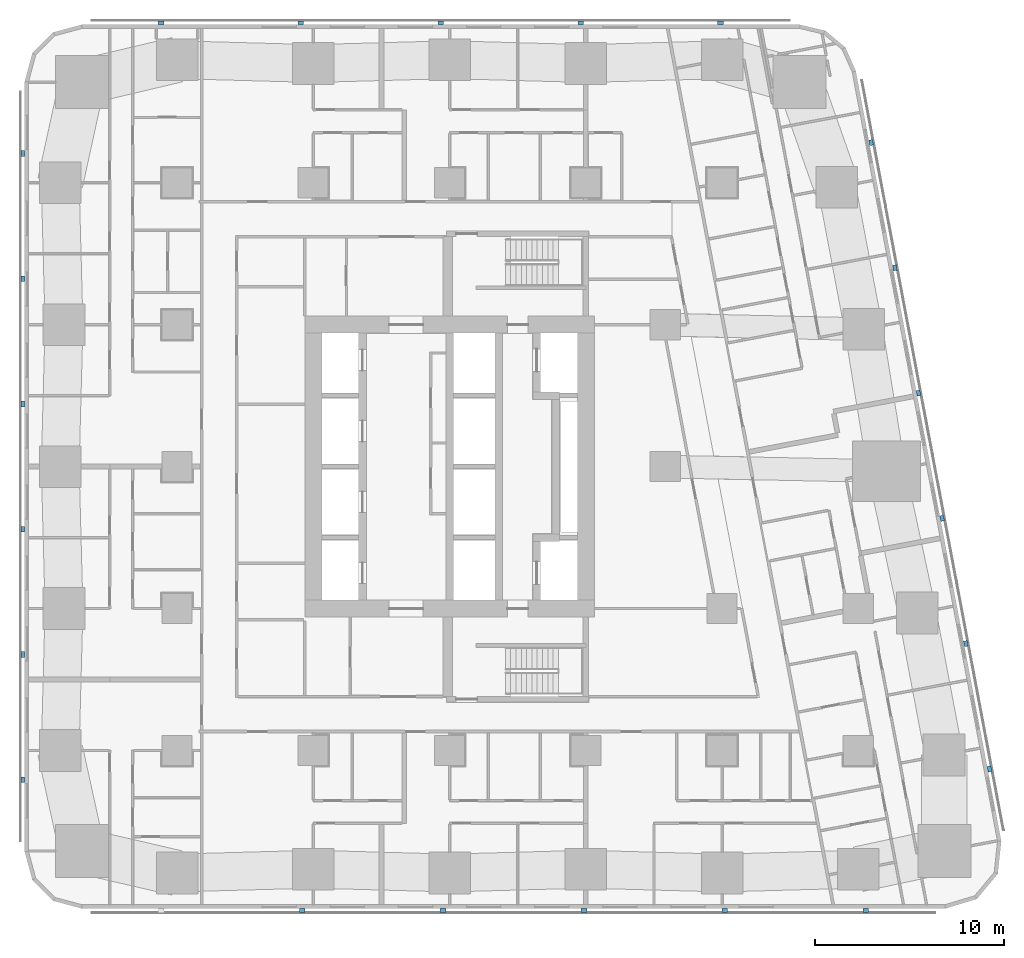
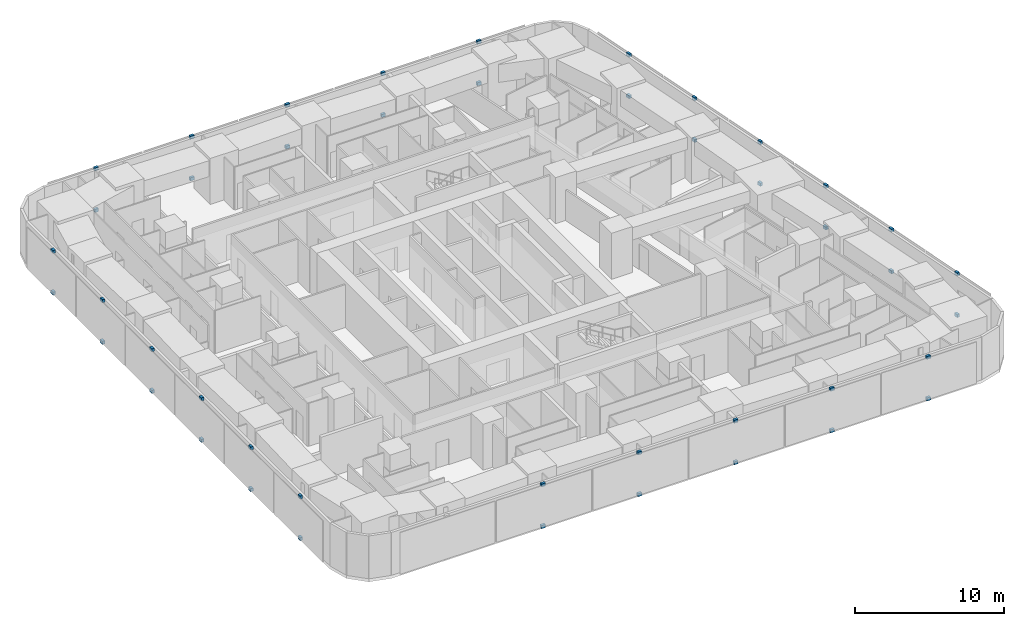
# One storey, part 13 of 17: 44 discrete accessories.
"""IFC4 building model written with IfcOpenShell, lengths in metres."""

from ifc_helpers import new_model, si_unit, direction, frame, origin, origin_2d, place, context, subcontext, project, spatial, rectangle, extrude, material, type_object, element, save


model = new_model("IFC4")

# Units and contexts
model_context = context("Model", 3, precision=1e-05, world=origin(), true_north=direction((0.0, 1.0)))
body_context = subcontext(model_context, "Body", "Model", "MODEL_VIEW")
ifc_project = project(units=[si_unit("LENGTHUNIT", "METRE"), si_unit("AREAUNIT", "SQUARE_METRE"), si_unit("VOLUMEUNIT", "CUBIC_METRE"), si_unit("PLANEANGLEUNIT", "RADIAN"), si_unit("MASSUNIT", "GRAM", prefix="KILO")], contexts=[model_context])

# Site, building, storey
site_placement = place(None, origin())
site = spatial("IfcSite", under=ifc_project, at=site_placement, CompositionType="ELEMENT")
building_placement = place(site_placement, origin())
building = spatial("IfcBuilding", under=site, at=building_placement, Name="Sheger Commons Tower", CompositionType="ELEMENT")
storey_placement = place(building_placement, frame((0.0, 0.0, 119.14990234375)))
storey = spatial("IfcBuildingStorey", under=building, at=storey_placement, Name="L30", CompositionType="ELEMENT", Elevation=119.14990234375)

# Discrete accessories
ifc_material = material(Name="Black painted steel bracket", Category="steel")
discrete_accessory_type = type_object("IfcDiscreteAccessoryType", Name="SCREEN BRACKET 300x200x250", PredefinedType="BRACKET", material=ifc_material)
for number, where, z_axis, x_axis, name in (
    (1, (13.81396484375, -0.949951171875, -0.099853515625), (0.0, 0.0, 1.0), (1.0, 0.0, 0.0), "Solar screen foot bracket"),
    (2, (13.81396484375, -0.949951171875, 3.300048828125), (0.0, 0.0, 1.0), (1.0, 0.0, 0.0), "Solar screen head bracket"),
    (3, (21.257080078125, -0.949951171875, -0.099853515625), (0.0, 0.0, 1.0), (1.0, 0.0, 0.0), "Solar screen foot bracket"),
    (4, (21.257080078125, -0.949951171875, 3.300048828125), (0.0, 0.0, 1.0), (1.0, 0.0, 0.0), "Solar screen head bracket"),
    (5, (28.698974609375, -0.949951171875, -0.099853515625), (0.0, 0.0, 1.0), (1.0, 0.0, 0.0), "Solar screen foot bracket"),
    (6, (28.698974609375, -0.949951171875, 3.300048828125), (0.0, 0.0, 1.0), (1.0, 0.0, 0.0), "Solar screen head bracket"),
    (7, (36.14208984375, -0.949951171875, -0.099853515625), (0.0, 0.0, 1.0), (1.0, 0.0, 0.0), "Solar screen foot bracket"),
    (8, (36.14208984375, -0.949951171875, 3.300048828125), (0.0, 0.0, 1.0), (1.0, 0.0, 0.0), "Solar screen head bracket"),
    (9, (43.5849609375, -0.949951171875, -0.099853515625), (0.0, 0.0, 1.0), (1.0, 0.0, 0.0), "Solar screen foot bracket"),
    (10, (43.5849609375, -0.949951171875, 3.300048828125), (0.0, 0.0, 1.0), (1.0, 0.0, 0.0), "Solar screen head bracket"),
    (11, (50.134033203125, 6.527099609375, -0.099853515625), (0.0, 0.0, 1.0), (-0.185615165645, 0.982622516678, 0.0), "Solar screen foot bracket"),
    (12, (50.134033203125, 6.527099609375, 3.300048828125), (0.0, 0.0, 1.0), (-0.185615165645, 0.982622516678, 0.0), "Solar screen head bracket"),
    (13, (48.884033203125, 13.14599609375, -0.099853515625), (0.0, 0.0, 1.0), (-0.185615165645, 0.982622516678, 0.0), "Solar screen foot bracket"),
    (14, (48.884033203125, 13.14599609375, 3.300048828125), (0.0, 0.0, 1.0), (-0.185615165645, 0.982622516678, 0.0), "Solar screen head bracket"),
    (15, (47.633056640625, 19.76611328125, -0.099853515625), (0.0, 0.0, 1.0), (-0.185615165645, 0.982622516678, 0.0), "Solar screen foot bracket"),
    (16, (47.633056640625, 19.76611328125, 3.300048828125), (0.0, 0.0, 1.0), (-0.185615165645, 0.982622516678, 0.0), "Solar screen head bracket"),
    (17, (46.383056640625, 26.385009765625, -0.099853515625), (0.0, 0.0, 1.0), (-0.185615165645, 0.982622516678, 0.0), "Solar screen foot bracket"),
    (18, (46.383056640625, 26.385009765625, 3.300048828125), (0.0, 0.0, 1.0), (-0.185615165645, 0.982622516678, 0.0), "Solar screen head bracket"),
    (19, (45.133056640625, 33.0048828125, -0.099853515625), (0.0, 0.0, 1.0), (-0.185615165645, 0.982622516678, 0.0), "Solar screen foot bracket"),
    (20, (45.133056640625, 33.0048828125, 3.300048828125), (0.0, 0.0, 1.0), (-0.185615165645, 0.982622516678, 0.0), "Solar screen head bracket"),
    (21, (43.882080078125, 39.6240234375, -0.099853515625), (0.0, 0.0, 1.0), (-0.185615165645, 0.982622516678, 0.0), "Solar screen foot bracket"),
    (22, (43.882080078125, 39.6240234375, 3.300048828125), (0.0, 0.0, 1.0), (-0.185615165645, 0.982622516678, 0.0), "Solar screen head bracket"),
    (23, (35.9208984375, 45.949951171875, -0.099853515625), (0.0, 0.0, 1.0), (-1.0, 0.0, 0.0), "Solar screen foot bracket"),
    (24, (35.9208984375, 45.949951171875, 3.300048828125), (0.0, 0.0, 1.0), (-1.0, 0.0, 0.0), "Solar screen head bracket"),
    (25, (28.528076171875, 45.949951171875, -0.099853515625), (0.0, 0.0, 1.0), (-1.0, 0.0, 0.0), "Solar screen foot bracket"),
    (26, (28.528076171875, 45.949951171875, 3.300048828125), (0.0, 0.0, 1.0), (-1.0, 0.0, 0.0), "Solar screen head bracket"),
    (27, (21.134033203125, 45.949951171875, -0.099853515625), (0.0, 0.0, 1.0), (-1.0, 0.0, 0.0), "Solar screen foot bracket"),
    (28, (21.134033203125, 45.949951171875, 3.300048828125), (0.0, 0.0, 1.0), (-1.0, 0.0, 0.0), "Solar screen head bracket"),
    (29, (13.739990234375, 45.949951171875, -0.099853515625), (0.0, 0.0, 1.0), (-1.0, 0.0, 0.0), "Solar screen foot bracket"),
    (30, (13.739990234375, 45.949951171875, 3.300048828125), (0.0, 0.0, 1.0), (-1.0, 0.0, 0.0), "Solar screen head bracket"),
    (31, (6.346923828125, 45.949951171875, -0.099853515625), (0.0, 0.0, 1.0), (-1.0, 0.0, 0.0), "Solar screen foot bracket"),
    (32, (6.346923828125, 45.949951171875, 3.300048828125), (0.0, 0.0, 1.0), (-1.0, 0.0, 0.0), "Solar screen head bracket"),
    (33, (-0.949951171875, 39.0419921875, -0.099853515625), (0.0, 0.0, 1.0), (0.0, -1.0, 0.0), "Solar screen foot bracket"),
    (34, (-0.949951171875, 39.0419921875, 3.300048828125), (0.0, 0.0, 1.0), (0.0, -1.0, 0.0), "Solar screen head bracket"),
    (35, (-0.949951171875, 32.425048828125, -0.099853515625), (0.0, 0.0, 1.0), (0.0, -1.0, 0.0), "Solar screen foot bracket"),
    (36, (-0.949951171875, 32.425048828125, 3.300048828125), (0.0, 0.0, 1.0), (0.0, -1.0, 0.0), "Solar screen head bracket"),
    (37, (-0.949951171875, 25.80810546875, -0.099853515625), (0.0, 0.0, 1.0), (0.0, -1.0, 0.0), "Solar screen foot bracket"),
    (38, (-0.949951171875, 25.80810546875, 3.300048828125), (0.0, 0.0, 1.0), (0.0, -1.0, 0.0), "Solar screen head bracket"),
    (39, (-0.949951171875, 19.19189453125, -0.099853515625), (0.0, 0.0, 1.0), (0.0, -1.0, 0.0), "Solar screen foot bracket"),
    (40, (-0.949951171875, 19.19189453125, 3.300048828125), (0.0, 0.0, 1.0), (0.0, -1.0, 0.0), "Solar screen head bracket"),
    (41, (-0.949951171875, 12.574951171875, -0.099853515625), (0.0, 0.0, 1.0), (0.0, -1.0, 0.0), "Solar screen foot bracket"),
    (42, (-0.949951171875, 12.574951171875, 3.300048828125), (0.0, 0.0, 1.0), (0.0, -1.0, 0.0), "Solar screen head bracket"),
    (43, (-0.949951171875, 5.9580078125, -0.099853515625), (0.0, 0.0, 1.0), (0.0, -1.0, 0.0), "Solar screen foot bracket"),
    (44, (-0.949951171875, 5.9580078125, 3.300048828125), (0.0, 0.0, 1.0), (0.0, -1.0, 0.0), "Solar screen head bracket"),
):
    element("IfcDiscreteAccessory", number, at=place(storey_placement, frame(where, z_axis=z_axis, x_axis=x_axis)), inside=storey, type_object=discrete_accessory_type, Name=name, PredefinedType="BRACKET", context=body_context, shape_type="SweptSolid", body=[
        extrude(rectangle(XDim=0.300048828125, YDim=0.199951171875, at=origin_2d()), origin(), (0.0, 0.0, 1.0), 0.25),
    ])

save(model, "model.ifc")
